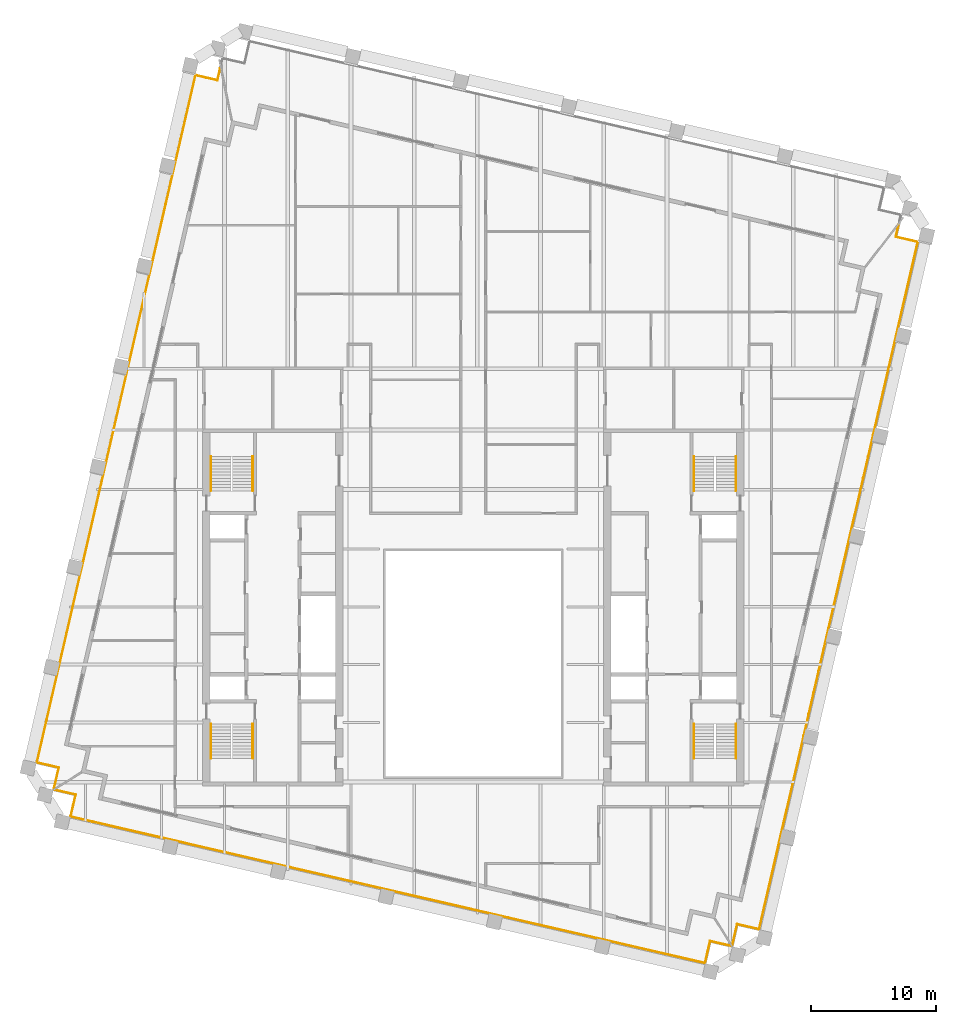
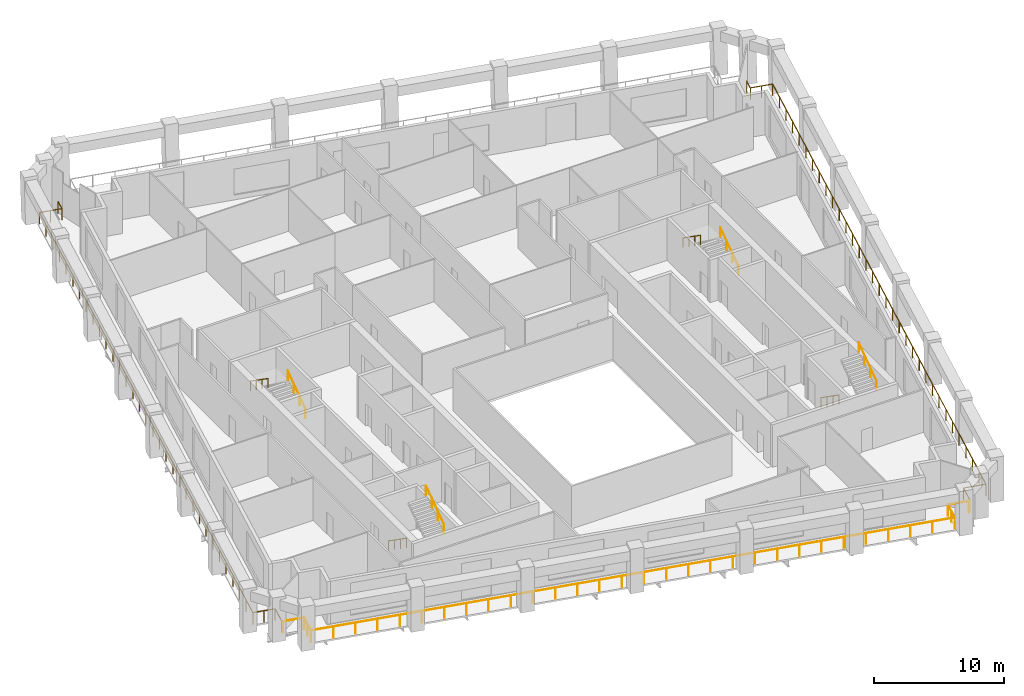
# One storey, part 9 of 10: 11 railings.
"""IFC4 building model written with IfcOpenShell, lengths in metres."""

from ifc_helpers import new_model, si_unit, direction, frame, origin, origin_2d, place, context, subcontext, project, spatial, circle, extrude, material, type_object, element, save


model = new_model("IFC4")

# Units and contexts
model_context = context("Model", 3, precision=1e-05, world=origin(), true_north=direction((0.0, 1.0)))
body_context = subcontext(model_context, "Body", "Model", "MODEL_VIEW")
ifc_project = project(units=[si_unit("LENGTHUNIT", "METRE"), si_unit("AREAUNIT", "SQUARE_METRE"), si_unit("VOLUMEUNIT", "CUBIC_METRE"), si_unit("PLANEANGLEUNIT", "RADIAN"), si_unit("MASSUNIT", "GRAM", prefix="KILO")], contexts=[model_context])

# Site, building, storey
site_placement = place(None, origin())
site = spatial("IfcSite", under=ifc_project, at=site_placement, CompositionType="ELEMENT")
building_placement = place(site_placement, origin())
building = spatial("IfcBuilding", under=site, at=building_placement, Name="Ogive Exchange Tower", CompositionType="ELEMENT")
storey_placement = place(building_placement, frame((0.0, 0.0, 268.199951171875)))
storey = spatial("IfcBuildingStorey", under=building, at=storey_placement, Name="L58", CompositionType="ELEMENT", Elevation=268.199951171875)

# Railings
ifc_material_1 = material(Name="Stainless steel 316", Category="steel")
railing_type_1 = type_object("IfcRailingType", Name="Guard 1100 stainless steel and glass", PredefinedType="GUARDRAIL", material=ifc_material_1)
railing_1_placement = place(storey_placement, frame((20.560546875, -15.527099609375, -0.050048828125)))
element("IfcRailing", 1, at=railing_1_placement, inside=storey, type_object=railing_type_1, Name="Loggia guard 1", PredefinedType="GUARDRAIL", context=body_context, shape_type="SweptSolid", body=[
    extrude(circle(Radius=0.02392578125, at=origin_2d()), frame((0.0, 0.0, 1.076171875), z_axis=(-0.974396013545, 0.224838628327, 0.0), x_axis=(-0.224838628327, -0.974396013545, 0.0)), (0.0, 0.0, 1.0), 1.7080078125),
    extrude(circle(Radius=0.02392578125, at=origin_2d()), frame((-1.664306640625, 0.384033203125, 1.076171875), z_axis=(-0.224879318197, -0.974386623598, 0.0), x_axis=(0.974386623598, -0.224879318197, 0.0)), (0.0, 0.0, 1.0), 1.800048828125),
    extrude(circle(Radius=0.02392578125, at=origin_2d()), frame((-2.069091796875, -1.369873046875, 1.076171875), z_axis=(-0.974370126852, 0.224950785504, 0.0), x_axis=(-0.224950785504, -0.974370126852, 0.0)), (0.0, 0.0, 1.0), 51.960205078125),
    extrude(circle(Radius=0.02392578125, at=origin_2d()), frame((-52.697509765625, 10.318603515625, 1.076171875), z_axis=(0.225008086135, 0.974356896201, 0.0), x_axis=(-0.974356896201, 0.225008086135, 0.0)), (0.0, 0.0, 1.0), 1.800048828125),
    extrude(circle(Radius=0.02392578125, at=origin_2d()), frame((-52.29248046875, 12.072509765625, 1.076171875), z_axis=(-0.974364690374, 0.224974332206, 0.0), x_axis=(-0.224974332206, -0.974364690374, 0.0)), (0.0, 0.0, 1.0), 1.7080078125),
    extrude(circle(Radius=0.02099609375, at=origin_2d()), origin(), (0.0, 0.0, 1.0), 1.052001953125),
    extrude(circle(Radius=0.02099609375, at=origin_2d()), frame((-1.664306640625, 0.384033203125, 0.0)), (0.0, 0.0, 1.0), 1.052001953125),
    extrude(circle(Radius=0.02099609375, at=origin_2d()), frame((-1.86669921875, -0.492919921875, 0.0)), (0.0, 0.0, 1.0), 1.052001953125),
    extrude(circle(Radius=0.02099609375, at=origin_2d()), frame((-2.069091796875, -1.369873046875, 0.0)), (0.0, 0.0, 1.0), 1.052001953125),
    extrude(circle(Radius=0.02099609375, at=origin_2d()), frame((-3.81494140625, -0.966796875, 0.0)), (0.0, 0.0, 1.0), 1.052001953125),
    extrude(circle(Radius=0.02099609375, at=origin_2d()), frame((-5.560791015625, -0.563720703125, 0.0)), (0.0, 0.0, 1.0), 1.052001953125),
    extrude(circle(Radius=0.02099609375, at=origin_2d()), frame((-7.306396484375, -0.16064453125, 0.0)), (0.0, 0.0, 1.0), 1.052001953125),
    extrude(circle(Radius=0.02099609375, at=origin_2d()), frame((-9.05224609375, 0.242431640625, 0.0)), (0.0, 0.0, 1.0), 1.052001953125),
    extrude(circle(Radius=0.02099609375, at=origin_2d()), frame((-10.798095703125, 0.645263671875, 0.0)), (0.0, 0.0, 1.0), 1.052001953125),
    extrude(circle(Radius=0.02099609375, at=origin_2d()), frame((-12.5439453125, 1.04833984375, 0.0)), (0.0, 0.0, 1.0), 1.052001953125),
    extrude(circle(Radius=0.02099609375, at=origin_2d()), frame((-14.289794921875, 1.451416015625, 0.0)), (0.0, 0.0, 1.0), 1.052001953125),
    extrude(circle(Radius=0.02099609375, at=origin_2d()), frame((-16.03564453125, 1.8544921875, 0.0)), (0.0, 0.0, 1.0), 1.052001953125),
    extrude(circle(Radius=0.02099609375, at=origin_2d()), frame((-17.78125, 2.257568359375, 0.0)), (0.0, 0.0, 1.0), 1.052001953125),
    extrude(circle(Radius=0.02099609375, at=origin_2d()), frame((-19.527099609375, 2.66064453125, 0.0)), (0.0, 0.0, 1.0), 1.052001953125),
    extrude(circle(Radius=0.02099609375, at=origin_2d()), frame((-21.27294921875, 3.063720703125, 0.0)), (0.0, 0.0, 1.0), 1.052001953125),
    extrude(circle(Radius=0.02099609375, at=origin_2d()), frame((-23.018798828125, 3.466796875, 0.0)), (0.0, 0.0, 1.0), 1.052001953125),
    extrude(circle(Radius=0.02099609375, at=origin_2d()), frame((-24.7646484375, 3.869873046875, 0.0)), (0.0, 0.0, 1.0), 1.052001953125),
    extrude(circle(Radius=0.02099609375, at=origin_2d()), frame((-26.510498046875, 4.27294921875, 0.0)), (0.0, 0.0, 1.0), 1.052001953125),
    extrude(circle(Radius=0.02099609375, at=origin_2d()), frame((-28.256103515625, 4.67578125, 0.0)), (0.0, 0.0, 1.0), 1.052001953125),
    extrude(circle(Radius=0.02099609375, at=origin_2d()), frame((-30.001953125, 5.078857421875, 0.0)), (0.0, 0.0, 1.0), 1.052001953125),
    extrude(circle(Radius=0.02099609375, at=origin_2d()), frame((-31.747802734375, 5.48193359375, 0.0)), (0.0, 0.0, 1.0), 1.052001953125),
    extrude(circle(Radius=0.02099609375, at=origin_2d()), frame((-33.49365234375, 5.885009765625, 0.0)), (0.0, 0.0, 1.0), 1.052001953125),
    extrude(circle(Radius=0.02099609375, at=origin_2d()), frame((-35.239501953125, 6.2880859375, 0.0)), (0.0, 0.0, 1.0), 1.052001953125),
    extrude(circle(Radius=0.02099609375, at=origin_2d()), frame((-36.9853515625, 6.691162109375, 0.0)), (0.0, 0.0, 1.0), 1.052001953125),
    extrude(circle(Radius=0.02099609375, at=origin_2d()), frame((-38.73095703125, 7.09423828125, 0.0)), (0.0, 0.0, 1.0), 1.052001953125),
    extrude(circle(Radius=0.02099609375, at=origin_2d()), frame((-40.476806640625, 7.497314453125, 0.0)), (0.0, 0.0, 1.0), 1.052001953125),
    extrude(circle(Radius=0.02099609375, at=origin_2d()), frame((-42.22265625, 7.900390625, 0.0)), (0.0, 0.0, 1.0), 1.052001953125),
    extrude(circle(Radius=0.02099609375, at=origin_2d()), frame((-43.968505859375, 8.303466796875, 0.0)), (0.0, 0.0, 1.0), 1.052001953125),
    extrude(circle(Radius=0.02099609375, at=origin_2d()), frame((-45.71435546875, 8.706298828125, 0.0)), (0.0, 0.0, 1.0), 1.052001953125),
    extrude(circle(Radius=0.02099609375, at=origin_2d()), frame((-47.460205078125, 9.109375, 0.0)), (0.0, 0.0, 1.0), 1.052001953125),
    extrude(circle(Radius=0.02099609375, at=origin_2d()), frame((-49.205810546875, 9.512451171875, 0.0)), (0.0, 0.0, 1.0), 1.052001953125),
    extrude(circle(Radius=0.02099609375, at=origin_2d()), frame((-50.95166015625, 9.91552734375, 0.0)), (0.0, 0.0, 1.0), 1.052001953125),
    extrude(circle(Radius=0.02099609375, at=origin_2d()), frame((-52.697509765625, 10.318603515625, 0.0)), (0.0, 0.0, 1.0), 1.052001953125),
    extrude(circle(Radius=0.02099609375, at=origin_2d()), frame((-52.4951171875, 11.195556640625, 0.0)), (0.0, 0.0, 1.0), 1.052001953125),
    extrude(circle(Radius=0.02099609375, at=origin_2d()), frame((-52.29248046875, 12.072509765625, 0.0)), (0.0, 0.0, 1.0), 1.052001953125),
    extrude(circle(Radius=0.02099609375, at=origin_2d()), frame((-53.956787109375, 12.456787109375, 0.0)), (0.0, 0.0, 1.0), 1.052001953125),
])
railing_2_placement = place(storey_placement, frame((-33.465087890625, -2.960205078125, -0.050048828125)))
element("IfcRailing", 2, at=railing_2_placement, inside=storey, type_object=railing_type_1, Name="Loggia guard 2", PredefinedType="GUARDRAIL", context=body_context, shape_type="SweptSolid", body=[
    extrude(circle(Radius=0.02392578125, at=origin_2d()), frame((0.0, 0.0, 1.076171875), z_axis=(0.224974332206, 0.974364690374, 0.0), x_axis=(-0.974364690374, 0.224974332206, 0.0)), (0.0, 0.0, 1.0), 1.7080078125),
    extrude(circle(Radius=0.02392578125, at=origin_2d()), frame((0.38427734375, 1.664306640625, 1.076171875), z_axis=(-0.974356896201, 0.225008086135, 0.0), x_axis=(-0.225008086135, -0.974356896201, 0.0)), (0.0, 0.0, 1.0), 1.800048828125),
    extrude(circle(Radius=0.02392578125, at=origin_2d()), frame((-1.36962890625, 2.0693359375, 1.076171875), z_axis=(0.224949139071, 0.974370506959, 0.0), x_axis=(-0.974370506959, 0.224949139071, 0.0)), (0.0, 0.0, 1.0), 56.29638671875),
    extrude(circle(Radius=0.02392578125, at=origin_2d()), frame((11.294189453125, 56.9228515625, 1.076171875), z_axis=(0.974356896201, -0.225008086135, 0.0), x_axis=(0.225008086135, 0.974356896201, 0.0)), (0.0, 0.0, 1.0), 1.800048828125),
    extrude(circle(Radius=0.02392578125, at=origin_2d()), frame((13.048095703125, 56.517822265625, 1.076171875), z_axis=(0.224914628316, 0.974378473679, 0.0), x_axis=(-0.974378473679, 0.224914628316, 0.0)), (0.0, 0.0, 1.0), 0.970458984375),
    extrude(circle(Radius=0.02099609375, at=origin_2d()), origin(), (0.0, 0.0, 1.0), 1.052001953125),
    extrude(circle(Radius=0.02099609375, at=origin_2d()), frame((0.38427734375, 1.664306640625, 0.0)), (0.0, 0.0, 1.0), 1.052001953125),
    extrude(circle(Radius=0.02099609375, at=origin_2d()), frame((-0.49267578125, 1.86669921875, 0.0)), (0.0, 0.0, 1.0), 1.052001953125),
    extrude(circle(Radius=0.02099609375, at=origin_2d()), frame((-1.36962890625, 2.0693359375, 0.0)), (0.0, 0.0, 1.0), 1.052001953125),
    extrude(circle(Radius=0.02099609375, at=origin_2d()), frame((-0.973876953125, 3.783447265625, 0.0)), (0.0, 0.0, 1.0), 1.052001953125),
    extrude(circle(Radius=0.02099609375, at=origin_2d()), frame((-0.578125, 5.49755859375, 0.0)), (0.0, 0.0, 1.0), 1.052001953125),
    extrude(circle(Radius=0.02099609375, at=origin_2d()), frame((-0.182373046875, 7.2119140625, 0.0)), (0.0, 0.0, 1.0), 1.052001953125),
    extrude(circle(Radius=0.02099609375, at=origin_2d()), frame((0.21337890625, 8.926025390625, 0.0)), (0.0, 0.0, 1.0), 1.052001953125),
    extrude(circle(Radius=0.02099609375, at=origin_2d()), frame((0.609130859375, 10.64013671875, 0.0)), (0.0, 0.0, 1.0), 1.052001953125),
    extrude(circle(Radius=0.02099609375, at=origin_2d()), frame((1.0048828125, 12.3544921875, 0.0)), (0.0, 0.0, 1.0), 1.052001953125),
    extrude(circle(Radius=0.02099609375, at=origin_2d()), frame((1.400634765625, 14.068603515625, 0.0)), (0.0, 0.0, 1.0), 1.052001953125),
    extrude(circle(Radius=0.02099609375, at=origin_2d()), frame((1.79638671875, 15.78271484375, 0.0)), (0.0, 0.0, 1.0), 1.052001953125),
    extrude(circle(Radius=0.02099609375, at=origin_2d()), frame((2.192138671875, 17.496826171875, 0.0)), (0.0, 0.0, 1.0), 1.052001953125),
    extrude(circle(Radius=0.02099609375, at=origin_2d()), frame((2.587890625, 19.2109375, 0.0)), (0.0, 0.0, 1.0), 1.052001953125),
    extrude(circle(Radius=0.02099609375, at=origin_2d()), frame((2.983642578125, 20.92529296875, 0.0)), (0.0, 0.0, 1.0), 1.052001953125),
    extrude(circle(Radius=0.02099609375, at=origin_2d()), frame((3.37939453125, 22.639404296875, 0.0)), (0.0, 0.0, 1.0), 1.052001953125),
    extrude(circle(Radius=0.02099609375, at=origin_2d()), frame((3.775146484375, 24.353515625, 0.0)), (0.0, 0.0, 1.0), 1.052001953125),
    extrude(circle(Radius=0.02099609375, at=origin_2d()), frame((4.1708984375, 26.06787109375, 0.0)), (0.0, 0.0, 1.0), 1.052001953125),
    extrude(circle(Radius=0.02099609375, at=origin_2d()), frame((4.566650390625, 27.781982421875, 0.0)), (0.0, 0.0, 1.0), 1.052001953125),
    extrude(circle(Radius=0.02099609375, at=origin_2d()), frame((4.96240234375, 29.49609375, 0.0)), (0.0, 0.0, 1.0), 1.052001953125),
    extrude(circle(Radius=0.02099609375, at=origin_2d()), frame((5.35791015625, 31.210205078125, 0.0)), (0.0, 0.0, 1.0), 1.052001953125),
    extrude(circle(Radius=0.02099609375, at=origin_2d()), frame((5.753662109375, 32.92431640625, 0.0)), (0.0, 0.0, 1.0), 1.052001953125),
    extrude(circle(Radius=0.02099609375, at=origin_2d()), frame((6.1494140625, 34.638671875, 0.0)), (0.0, 0.0, 1.0), 1.052001953125),
    extrude(circle(Radius=0.02099609375, at=origin_2d()), frame((6.545166015625, 36.352783203125, 0.0)), (0.0, 0.0, 1.0), 1.052001953125),
    extrude(circle(Radius=0.02099609375, at=origin_2d()), frame((6.94091796875, 38.06689453125, 0.0)), (0.0, 0.0, 1.0), 1.052001953125),
    extrude(circle(Radius=0.02099609375, at=origin_2d()), frame((7.336669921875, 39.78125, 0.0)), (0.0, 0.0, 1.0), 1.052001953125),
    extrude(circle(Radius=0.02099609375, at=origin_2d()), frame((7.732421875, 41.495361328125, 0.0)), (0.0, 0.0, 1.0), 1.052001953125),
    extrude(circle(Radius=0.02099609375, at=origin_2d()), frame((8.128173828125, 43.20947265625, 0.0)), (0.0, 0.0, 1.0), 1.052001953125),
    extrude(circle(Radius=0.02099609375, at=origin_2d()), frame((8.52392578125, 44.923583984375, 0.0)), (0.0, 0.0, 1.0), 1.052001953125),
    extrude(circle(Radius=0.02099609375, at=origin_2d()), frame((8.919677734375, 46.6376953125, 0.0)), (0.0, 0.0, 1.0), 1.052001953125),
    extrude(circle(Radius=0.02099609375, at=origin_2d()), frame((9.3154296875, 48.35205078125, 0.0)), (0.0, 0.0, 1.0), 1.052001953125),
    extrude(circle(Radius=0.02099609375, at=origin_2d()), frame((9.711181640625, 50.066162109375, 0.0)), (0.0, 0.0, 1.0), 1.052001953125),
    extrude(circle(Radius=0.02099609375, at=origin_2d()), frame((10.10693359375, 51.7802734375, 0.0)), (0.0, 0.0, 1.0), 1.052001953125),
    extrude(circle(Radius=0.02099609375, at=origin_2d()), frame((10.502685546875, 53.49462890625, 0.0)), (0.0, 0.0, 1.0), 1.052001953125),
    extrude(circle(Radius=0.02099609375, at=origin_2d()), frame((10.8984375, 55.208740234375, 0.0)), (0.0, 0.0, 1.0), 1.052001953125),
    extrude(circle(Radius=0.02099609375, at=origin_2d()), frame((11.294189453125, 56.9228515625, 0.0)), (0.0, 0.0, 1.0), 1.052001953125),
    extrude(circle(Radius=0.02099609375, at=origin_2d()), frame((12.171142578125, 56.72021484375, 0.0)), (0.0, 0.0, 1.0), 1.052001953125),
    extrude(circle(Radius=0.02099609375, at=origin_2d()), frame((13.048095703125, 56.517822265625, 0.0)), (0.0, 0.0, 1.0), 1.052001953125),
    extrude(circle(Radius=0.02099609375, at=origin_2d()), frame((13.266357421875, 57.46337890625, 0.0)), (0.0, 0.0, 1.0), 1.052001953125),
])
railing_3_placement = place(storey_placement, frame((33.937255859375, 42.0048828125, -0.050048828125)))
element("IfcRailing", 3, at=railing_3_placement, inside=storey, type_object=railing_type_1, Name="Loggia guard 4", PredefinedType="GUARDRAIL", context=body_context, shape_type="SweptSolid", body=[
    extrude(circle(Radius=0.02392578125, at=origin_2d()), frame((0.0, 0.0, 1.076171875), z_axis=(-0.224914628316, -0.974378473679, 0.0), x_axis=(0.974378473679, -0.224914628316, 0.0)), (0.0, 0.0, 1.0), 0.970458984375),
    extrude(circle(Radius=0.02392578125, at=origin_2d()), frame((-0.21826171875, -0.945556640625, 1.076171875), z_axis=(0.974386623598, -0.224879318197, 0.0), x_axis=(0.224879318197, 0.974386623598, 0.0)), (0.0, 0.0, 1.0), 1.800048828125),
    extrude(circle(Radius=0.02392578125, at=origin_2d()), frame((1.53564453125, -1.350341796875, 1.076171875), z_axis=(-0.224953256322, -0.974369556416, 0.0), x_axis=(0.974369556416, -0.224953256322, 0.0)), (0.0, 0.0, 1.0), 56.29638671875),
    extrude(circle(Radius=0.02392578125, at=origin_2d()), frame((-11.12841796875, -56.203857421875, 1.076171875), z_axis=(-0.974379763188, 0.224909041816, 0.0), x_axis=(-0.224909041816, -0.974379763188, 0.0)), (0.0, 0.0, 1.0), 1.7998046875),
    extrude(circle(Radius=0.02392578125, at=origin_2d()), frame((-12.882080078125, -55.799072265625, 1.076171875), z_axis=(-0.224974332206, -0.974364690374, 0.0), x_axis=(0.974364690374, -0.224974332206, 0.0)), (0.0, 0.0, 1.0), 1.7080078125),
    extrude(circle(Radius=0.02099609375, at=origin_2d()), origin(), (0.0, 0.0, 1.0), 1.052001953125),
    extrude(circle(Radius=0.02099609375, at=origin_2d()), frame((-0.21826171875, -0.945556640625, 0.0)), (0.0, 0.0, 1.0), 1.052001953125),
    extrude(circle(Radius=0.02099609375, at=origin_2d()), frame((0.65869140625, -1.14794921875, 0.0)), (0.0, 0.0, 1.0), 1.052001953125),
    extrude(circle(Radius=0.02099609375, at=origin_2d()), frame((1.53564453125, -1.350341796875, 0.0)), (0.0, 0.0, 1.0), 1.052001953125),
    extrude(circle(Radius=0.02099609375, at=origin_2d()), frame((1.139892578125, -3.064453125, 0.0)), (0.0, 0.0, 1.0), 1.052001953125),
    extrude(circle(Radius=0.02099609375, at=origin_2d()), frame((0.744140625, -4.77880859375, 0.0)), (0.0, 0.0, 1.0), 1.052001953125),
    extrude(circle(Radius=0.02099609375, at=origin_2d()), frame((0.348388671875, -6.492919921875, 0.0)), (0.0, 0.0, 1.0), 1.052001953125),
    extrude(circle(Radius=0.02099609375, at=origin_2d()), frame((-0.04736328125, -8.20703125, 0.0)), (0.0, 0.0, 1.0), 1.052001953125),
    extrude(circle(Radius=0.02099609375, at=origin_2d()), frame((-0.443115234375, -9.921142578125, 0.0)), (0.0, 0.0, 1.0), 1.052001953125),
    extrude(circle(Radius=0.02099609375, at=origin_2d()), frame((-0.8388671875, -11.63525390625, 0.0)), (0.0, 0.0, 1.0), 1.052001953125),
    extrude(circle(Radius=0.02099609375, at=origin_2d()), frame((-1.234619140625, -13.349609375, 0.0)), (0.0, 0.0, 1.0), 1.052001953125),
    extrude(circle(Radius=0.02099609375, at=origin_2d()), frame((-1.63037109375, -15.063720703125, 0.0)), (0.0, 0.0, 1.0), 1.052001953125),
    extrude(circle(Radius=0.02099609375, at=origin_2d()), frame((-2.026123046875, -16.77783203125, 0.0)), (0.0, 0.0, 1.0), 1.052001953125),
    extrude(circle(Radius=0.02099609375, at=origin_2d()), frame((-2.421875, -18.4921875, 0.0)), (0.0, 0.0, 1.0), 1.052001953125),
    extrude(circle(Radius=0.02099609375, at=origin_2d()), frame((-2.817626953125, -20.206298828125, 0.0)), (0.0, 0.0, 1.0), 1.052001953125),
    extrude(circle(Radius=0.02099609375, at=origin_2d()), frame((-3.21337890625, -21.92041015625, 0.0)), (0.0, 0.0, 1.0), 1.052001953125),
    extrude(circle(Radius=0.02099609375, at=origin_2d()), frame((-3.609130859375, -23.634521484375, 0.0)), (0.0, 0.0, 1.0), 1.052001953125),
    extrude(circle(Radius=0.02099609375, at=origin_2d()), frame((-4.0048828125, -25.3486328125, 0.0)), (0.0, 0.0, 1.0), 1.052001953125),
    extrude(circle(Radius=0.02099609375, at=origin_2d()), frame((-4.400634765625, -27.06298828125, 0.0)), (0.0, 0.0, 1.0), 1.052001953125),
    extrude(circle(Radius=0.02099609375, at=origin_2d()), frame((-4.79638671875, -28.777099609375, 0.0)), (0.0, 0.0, 1.0), 1.052001953125),
    extrude(circle(Radius=0.02099609375, at=origin_2d()), frame((-5.192138671875, -30.4912109375, 0.0)), (0.0, 0.0, 1.0), 1.052001953125),
    extrude(circle(Radius=0.02099609375, at=origin_2d()), frame((-5.587890625, -32.20556640625, 0.0)), (0.0, 0.0, 1.0), 1.052001953125),
    extrude(circle(Radius=0.02099609375, at=origin_2d()), frame((-5.983642578125, -33.919677734375, 0.0)), (0.0, 0.0, 1.0), 1.052001953125),
    extrude(circle(Radius=0.02099609375, at=origin_2d()), frame((-6.37939453125, -35.6337890625, 0.0)), (0.0, 0.0, 1.0), 1.052001953125),
    extrude(circle(Radius=0.02099609375, at=origin_2d()), frame((-6.775146484375, -37.347900390625, 0.0)), (0.0, 0.0, 1.0), 1.052001953125),
    extrude(circle(Radius=0.02099609375, at=origin_2d()), frame((-7.1708984375, -39.06201171875, 0.0)), (0.0, 0.0, 1.0), 1.052001953125),
    extrude(circle(Radius=0.02099609375, at=origin_2d()), frame((-7.566650390625, -40.7763671875, 0.0)), (0.0, 0.0, 1.0), 1.052001953125),
    extrude(circle(Radius=0.02099609375, at=origin_2d()), frame((-7.96240234375, -42.490478515625, 0.0)), (0.0, 0.0, 1.0), 1.052001953125),
    extrude(circle(Radius=0.02099609375, at=origin_2d()), frame((-8.358154296875, -44.20458984375, 0.0)), (0.0, 0.0, 1.0), 1.052001953125),
    extrude(circle(Radius=0.02099609375, at=origin_2d()), frame((-8.75390625, -45.9189453125, 0.0)), (0.0, 0.0, 1.0), 1.052001953125),
    extrude(circle(Radius=0.02099609375, at=origin_2d()), frame((-9.149658203125, -47.633056640625, 0.0)), (0.0, 0.0, 1.0), 1.052001953125),
    extrude(circle(Radius=0.02099609375, at=origin_2d()), frame((-9.54541015625, -49.34716796875, 0.0)), (0.0, 0.0, 1.0), 1.052001953125),
    extrude(circle(Radius=0.02099609375, at=origin_2d()), frame((-9.941162109375, -51.061279296875, 0.0)), (0.0, 0.0, 1.0), 1.052001953125),
    extrude(circle(Radius=0.02099609375, at=origin_2d()), frame((-10.3369140625, -52.775390625, 0.0)), (0.0, 0.0, 1.0), 1.052001953125),
    extrude(circle(Radius=0.02099609375, at=origin_2d()), frame((-10.732666015625, -54.48974609375, 0.0)), (0.0, 0.0, 1.0), 1.052001953125),
    extrude(circle(Radius=0.02099609375, at=origin_2d()), frame((-11.12841796875, -56.203857421875, 0.0)), (0.0, 0.0, 1.0), 1.052001953125),
    extrude(circle(Radius=0.02099609375, at=origin_2d()), frame((-12.882080078125, -55.799072265625, 0.0)), (0.0, 0.0, 1.0), 1.052001953125),
    extrude(circle(Radius=0.02099609375, at=origin_2d()), frame((-13.266357421875, -57.46337890625, 0.0)), (0.0, 0.0, 1.0), 1.052001953125),
])
ifc_material_2 = material(Name="Stainless steel", Category="steel")
railing_type_2 = type_object("IfcRailingType", Name="Stair handrail 900", PredefinedType="HANDRAIL", material=ifc_material_2)
railing_4_placement = place(storey_placement, frame((-20.949951171875, 2.199951171875, 0.175048828125)))
element("IfcRailing", 4, at=railing_4_placement, inside=storey, type_object=railing_type_2, Name="L58 ST1 stair handrail 1", PredefinedType="HANDRAIL", context=body_context, shape_type="SweptSolid", body=[
    extrude(circle(Radius=0.02392578125, at=origin_2d()), frame((0.0, 0.0, 0.8759765625), z_axis=(0.0, -0.819225086817, 0.573472106672), x_axis=(1.0, 0.0, 0.0)), (0.0, 0.0, 1.0), 3.35693359375),
    extrude(circle(Radius=0.02099609375, at=origin_2d()), origin(), (0.0, 0.0, 1.0), 0.851806640625),
    extrude(circle(Radius=0.02099609375, at=origin_2d()), frame((0.0, -0.916748046875, 0.6416015625)), (0.0, 0.0, 1.0), 0.851806640625),
    extrude(circle(Radius=0.02099609375, at=origin_2d()), frame((0.0, -1.833251953125, 1.283447265625)), (0.0, 0.0, 1.0), 0.851806640625),
    extrude(circle(Radius=0.02099609375, at=origin_2d()), frame((0.0, -2.75, 1.925048828125)), (0.0, 0.0, 1.0), 0.851806640625),
])
railing_5_placement = place(storey_placement, frame((-17.60009765625, -0.550048828125, 2.275146484375)))
element("IfcRailing", 5, at=railing_5_placement, inside=storey, type_object=railing_type_2, Name="L58 ST1 stair handrail 2", PredefinedType="HANDRAIL", context=body_context, shape_type="SweptSolid", body=[
    extrude(circle(Radius=0.02392578125, at=origin_2d()), frame((0.0, 0.0, 0.8759765625), z_axis=(0.0, 0.819259255306, 0.573423292687), x_axis=(-1.0, 0.0, 0.0)), (0.0, 0.0, 1.0), 3.356689453125),
    extrude(circle(Radius=0.02099609375, at=origin_2d()), origin(), (0.0, 0.0, 1.0), 0.851806640625),
    extrude(circle(Radius=0.02099609375, at=origin_2d()), frame((0.0, 0.916748046875, 0.6416015625)), (0.0, 0.0, 1.0), 0.851806640625),
    extrude(circle(Radius=0.02099609375, at=origin_2d()), frame((0.0, 1.833251953125, 1.283203125)), (0.0, 0.0, 1.0), 0.851806640625),
    extrude(circle(Radius=0.02099609375, at=origin_2d()), frame((0.0, 2.75, 1.9248046875)), (0.0, 0.0, 1.0), 0.851806640625),
])
railing_6_placement = place(storey_placement, frame((-17.60009765625, 20.800048828125, 0.175048828125)))
element("IfcRailing", 6, at=railing_6_placement, inside=storey, type_object=railing_type_2, Name="L58 ST2 stair handrail 1", PredefinedType="HANDRAIL", context=body_context, shape_type="SweptSolid", body=[
    extrude(circle(Radius=0.02392578125, at=origin_2d()), frame((0.0, 0.0, 0.8759765625), z_axis=(0.0, 0.819225086817, 0.573472106672), x_axis=(-1.0, 0.0, 0.0)), (0.0, 0.0, 1.0), 3.35693359375),
    extrude(circle(Radius=0.02099609375, at=origin_2d()), origin(), (0.0, 0.0, 1.0), 0.851806640625),
    extrude(circle(Radius=0.02099609375, at=origin_2d()), frame((0.0, 0.916748046875, 0.6416015625)), (0.0, 0.0, 1.0), 0.851806640625),
    extrude(circle(Radius=0.02099609375, at=origin_2d()), frame((0.0, 1.833251953125, 1.283447265625)), (0.0, 0.0, 1.0), 0.851806640625),
    extrude(circle(Radius=0.02099609375, at=origin_2d()), frame((0.0, 2.75, 1.925048828125)), (0.0, 0.0, 1.0), 0.851806640625),
])
railing_7_placement = place(storey_placement, frame((-20.949951171875, 23.550048828125, 2.275146484375)))
element("IfcRailing", 7, at=railing_7_placement, inside=storey, type_object=railing_type_2, Name="L58 ST2 stair handrail 2", PredefinedType="HANDRAIL", context=body_context, shape_type="SweptSolid", body=[
    extrude(circle(Radius=0.02392578125, at=origin_2d()), frame((0.0, 0.0, 0.8759765625), z_axis=(0.0, -0.819259255306, 0.573423292687), x_axis=(1.0, 0.0, 0.0)), (0.0, 0.0, 1.0), 3.356689453125),
    extrude(circle(Radius=0.02099609375, at=origin_2d()), origin(), (0.0, 0.0, 1.0), 0.851806640625),
    extrude(circle(Radius=0.02099609375, at=origin_2d()), frame((0.0, -0.916748046875, 0.6416015625)), (0.0, 0.0, 1.0), 0.851806640625),
    extrude(circle(Radius=0.02099609375, at=origin_2d()), frame((0.0, -1.833251953125, 1.283203125)), (0.0, 0.0, 1.0), 0.851806640625),
    extrude(circle(Radius=0.02099609375, at=origin_2d()), frame((0.0, -2.75, 1.9248046875)), (0.0, 0.0, 1.0), 0.851806640625),
])
railing_8_placement = place(storey_placement, frame((17.60009765625, 2.199951171875, 0.175048828125)))
element("IfcRailing", 8, at=railing_8_placement, inside=storey, type_object=railing_type_2, Name="L58 ST3 stair handrail 1", PredefinedType="HANDRAIL", context=body_context, shape_type="SweptSolid", body=[
    extrude(circle(Radius=0.02392578125, at=origin_2d()), frame((0.0, 0.0, 0.8759765625), z_axis=(0.0, -0.819225086817, 0.573472106672), x_axis=(1.0, 0.0, 0.0)), (0.0, 0.0, 1.0), 3.35693359375),
    extrude(circle(Radius=0.02099609375, at=origin_2d()), origin(), (0.0, 0.0, 1.0), 0.851806640625),
    extrude(circle(Radius=0.02099609375, at=origin_2d()), frame((0.0, -0.916748046875, 0.6416015625)), (0.0, 0.0, 1.0), 0.851806640625),
    extrude(circle(Radius=0.02099609375, at=origin_2d()), frame((0.0, -1.833251953125, 1.283447265625)), (0.0, 0.0, 1.0), 0.851806640625),
    extrude(circle(Radius=0.02099609375, at=origin_2d()), frame((0.0, -2.75, 1.925048828125)), (0.0, 0.0, 1.0), 0.851806640625),
])
railing_9_placement = place(storey_placement, frame((20.949951171875, -0.550048828125, 2.275146484375)))
element("IfcRailing", 9, at=railing_9_placement, inside=storey, type_object=railing_type_2, Name="L58 ST3 stair handrail 2", PredefinedType="HANDRAIL", context=body_context, shape_type="SweptSolid", body=[
    extrude(circle(Radius=0.02392578125, at=origin_2d()), frame((0.0, 0.0, 0.8759765625), z_axis=(0.0, 0.819259255306, 0.573423292687), x_axis=(-1.0, 0.0, 0.0)), (0.0, 0.0, 1.0), 3.356689453125),
    extrude(circle(Radius=0.02099609375, at=origin_2d()), origin(), (0.0, 0.0, 1.0), 0.851806640625),
    extrude(circle(Radius=0.02099609375, at=origin_2d()), frame((0.0, 0.916748046875, 0.6416015625)), (0.0, 0.0, 1.0), 0.851806640625),
    extrude(circle(Radius=0.02099609375, at=origin_2d()), frame((0.0, 1.833251953125, 1.283203125)), (0.0, 0.0, 1.0), 0.851806640625),
    extrude(circle(Radius=0.02099609375, at=origin_2d()), frame((0.0, 2.75, 1.9248046875)), (0.0, 0.0, 1.0), 0.851806640625),
])
railing_10_placement = place(storey_placement, frame((20.949951171875, 20.800048828125, 0.175048828125)))
element("IfcRailing", 10, at=railing_10_placement, inside=storey, type_object=railing_type_2, Name="L58 ST4 stair handrail 1", PredefinedType="HANDRAIL", context=body_context, shape_type="SweptSolid", body=[
    extrude(circle(Radius=0.02392578125, at=origin_2d()), frame((0.0, 0.0, 0.8759765625), z_axis=(0.0, 0.819225086817, 0.573472106672), x_axis=(-1.0, 0.0, 0.0)), (0.0, 0.0, 1.0), 3.35693359375),
    extrude(circle(Radius=0.02099609375, at=origin_2d()), origin(), (0.0, 0.0, 1.0), 0.851806640625),
    extrude(circle(Radius=0.02099609375, at=origin_2d()), frame((0.0, 0.916748046875, 0.6416015625)), (0.0, 0.0, 1.0), 0.851806640625),
    extrude(circle(Radius=0.02099609375, at=origin_2d()), frame((0.0, 1.833251953125, 1.283447265625)), (0.0, 0.0, 1.0), 0.851806640625),
    extrude(circle(Radius=0.02099609375, at=origin_2d()), frame((0.0, 2.75, 1.925048828125)), (0.0, 0.0, 1.0), 0.851806640625),
])
railing_11_placement = place(storey_placement, frame((17.60009765625, 23.550048828125, 2.275146484375)))
element("IfcRailing", 11, at=railing_11_placement, inside=storey, type_object=railing_type_2, Name="L58 ST4 stair handrail 2", PredefinedType="HANDRAIL", context=body_context, shape_type="SweptSolid", body=[
    extrude(circle(Radius=0.02392578125, at=origin_2d()), frame((0.0, 0.0, 0.8759765625), z_axis=(0.0, -0.819259255306, 0.573423292687), x_axis=(1.0, 0.0, 0.0)), (0.0, 0.0, 1.0), 3.356689453125),
    extrude(circle(Radius=0.02099609375, at=origin_2d()), origin(), (0.0, 0.0, 1.0), 0.851806640625),
    extrude(circle(Radius=0.02099609375, at=origin_2d()), frame((0.0, -0.916748046875, 0.6416015625)), (0.0, 0.0, 1.0), 0.851806640625),
    extrude(circle(Radius=0.02099609375, at=origin_2d()), frame((0.0, -1.833251953125, 1.283203125)), (0.0, 0.0, 1.0), 0.851806640625),
    extrude(circle(Radius=0.02099609375, at=origin_2d()), frame((0.0, -2.75, 1.9248046875)), (0.0, 0.0, 1.0), 0.851806640625),
])

save(model, "model.ifc")
